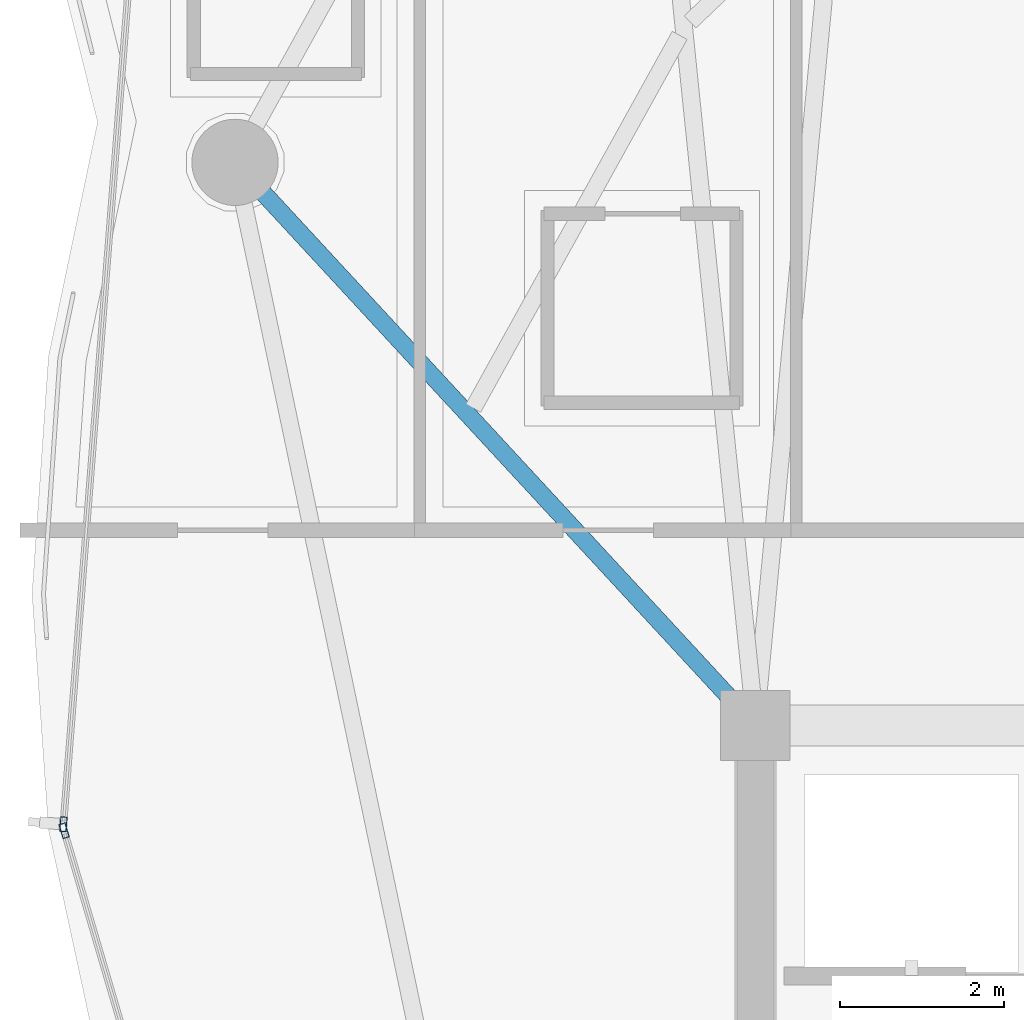
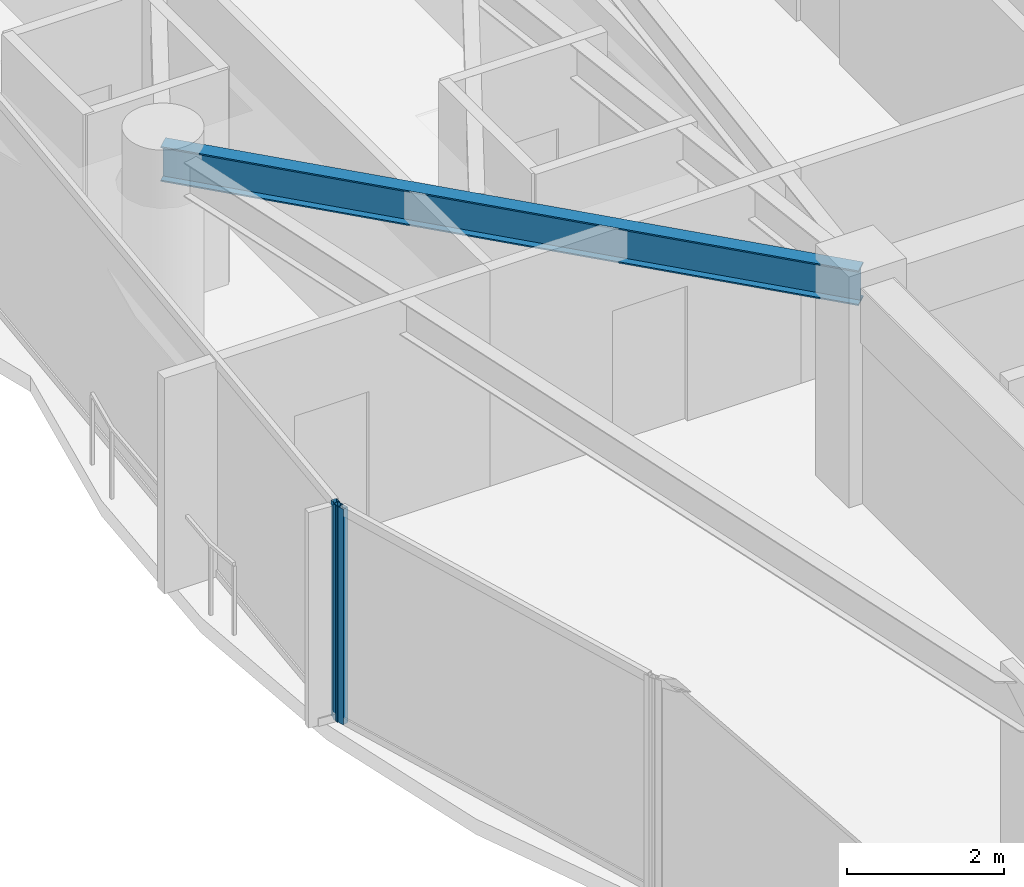
# One storey, part 8 of 31: 2 members, 1 beam, 2 elements without a shape of their own.
"""IFC4 building model written with IfcOpenShell, lengths in metres."""

from ifc_helpers import new_model, si_unit, direction, frame, origin, origin_2d, place, context, subcontext, project, spatial, hollow_rectangle, i_section, extrude, material, layer, layer_set, material_profile, profile_set, type_object, element, aggregate, save


model = new_model("IFC4")

# Units and contexts
model_context = context("Model", 3, precision=1e-05, world=origin(), true_north=direction((0.0, 1.0)))
body_context = subcontext(model_context, "Body", "Model", "MODEL_VIEW")
ifc_project = project(units=[si_unit("LENGTHUNIT", "METRE"), si_unit("AREAUNIT", "SQUARE_METRE"), si_unit("VOLUMEUNIT", "CUBIC_METRE"), si_unit("PLANEANGLEUNIT", "RADIAN"), si_unit("MASSUNIT", "GRAM", prefix="KILO")], contexts=[model_context])

# Site, building, storey
site_placement = place(None, origin())
site = spatial("IfcSite", under=ifc_project, at=site_placement, CompositionType="ELEMENT")
building_placement = place(site_placement, origin())
building = spatial("IfcBuilding", under=site, at=building_placement, Name="Kazevale Care Tower and Concert Hall", CompositionType="ELEMENT")
storey_placement = place(building_placement, frame((0.0, 0.0, 235.199951171875)))
storey = spatial("IfcBuildingStorey", under=building, at=storey_placement, Name="L62", CompositionType="ELEMENT", Elevation=235.199951171875)

# Curtain wall, member
ifc_material_1 = material(Name="Aluminium 6063-T6 and Low-E Glass", Category="aluminium")
ifc_layer = layer(ifc_material_1, 0.179931640625)
ifc_layer_set = layer_set([ifc_layer], Name="Aluminium 6063-T6 and Low-E Glass")
curtain_wall_type = type_object("IfcCurtainWallType", Name="Waist & Upper Residential Curtain Wall CW-4", PredefinedType="NOTDEFINED", material=ifc_layer_set)
curtain_wall_1_placement = place(storey_placement, origin())
curtain_wall_1 = element("IfcCurtainWall", 1, at=curtain_wall_1_placement, inside=storey, type_object=curtain_wall_type, Name="cw:L62:f12", PredefinedType="NOTDEFINED")
ifc_material_2 = material(Name="Aluminium 6063-T6", Category="aluminium")
ifc_material_profile_1 = material_profile(ifc_material_2, hollow_rectangle(XDim=0.080078125, YDim=0.179931640625, WallThickness=0.0048828125, at=origin_2d()), Name="ALU80x180x5")
ifc_profile_set_1 = profile_set([ifc_material_profile_1], Name="Aluminium 6063-T6")
member_type = type_object("IfcMemberType", Name="CW-4 Mullion ALU80x180x5", PredefinedType="MULLION", material=ifc_profile_set_1)
member_1_placement = place(storey_placement, frame((13.59033203125, 35.11865234375, 0.0), z_axis=(0.0, 0.0, 1.0), x_axis=(-0.959385539982, -0.282098184457, 0.0)))
member_1 = element("IfcMember", 2, at=member_1_placement, type_object=member_type, Name="CW-4 mullion 2", PredefinedType="MULLION", context=body_context, shape_type="SweptSolid", body=[
    extrude(hollow_rectangle(XDim=0.080078125, YDim=0.179931640625, WallThickness=0.0048828125, at=origin_2d()), origin(), (0.0, 0.0, 1.0), 3.360107421875),
])
aggregate(curtain_wall_1, [member_1])

curtain_wall_2_placement = place(storey_placement, origin())
curtain_wall_2 = element("IfcCurtainWall", 3, at=curtain_wall_2_placement, inside=storey, type_object=curtain_wall_type, Name="cw:L62:f13", PredefinedType="NOTDEFINED")
member_2_placement = place(storey_placement, frame((13.58203125, 35.19677734375, 0.0), z_axis=(0.0, 0.0, 1.0), x_axis=(-0.996989311372, 0.077539106325, 0.0)))
member_2 = element("IfcMember", 4, at=member_2_placement, type_object=member_type, Name="CW-4 mullion 1", PredefinedType="MULLION", context=body_context, shape_type="SweptSolid", body=[
    extrude(hollow_rectangle(XDim=0.080078125, YDim=0.179931640625, WallThickness=0.0048828125, at=origin_2d()), origin(), (0.0, 0.0, 1.0), 3.360107421875),
])
aggregate(curtain_wall_2, [member_2])

# Beam
ifc_material_3 = material(Name="Steel ASTM A572 Gr 50", Category="steel")
ifc_material_profile_2 = material_profile(ifc_material_3, i_section(OverallWidth=0.2119140625, OverallDepth=0.5439453125, WebThickness=0.01318359375, FlangeThickness=0.021240234375, at=origin_2d()), Name="W530x123")
ifc_profile_set_2 = profile_set([ifc_material_profile_2], Name="Steel ASTM A572 Gr 50")
beam_type = type_object("IfcBeamType", Name="Radial Floor Girder W530x123", PredefinedType="BEAM", material=ifc_profile_set_2)
beam_placement = place(storey_placement, frame((22.0, 36.39990234375, 3.088134765625), z_axis=(-0.678680078581, 0.734434034435, 0.0), x_axis=(-0.734434034435, -0.678680078581, 0.0)))
element("IfcBeam", 5, at=beam_placement, inside=storey, type_object=beam_type, Name="beam:L62:rad:09", PredefinedType="BEAM", context=body_context, shape_type="SweptSolid", body=[
    extrude(i_section(OverallWidth=0.2119140625, OverallDepth=0.5439453125, WebThickness=0.01318359375, FlangeThickness=0.021240234375, at=origin_2d()), origin(), (0.0, 0.0, 1.0), 9.3271484375),
])

save(model, "model.ifc")
